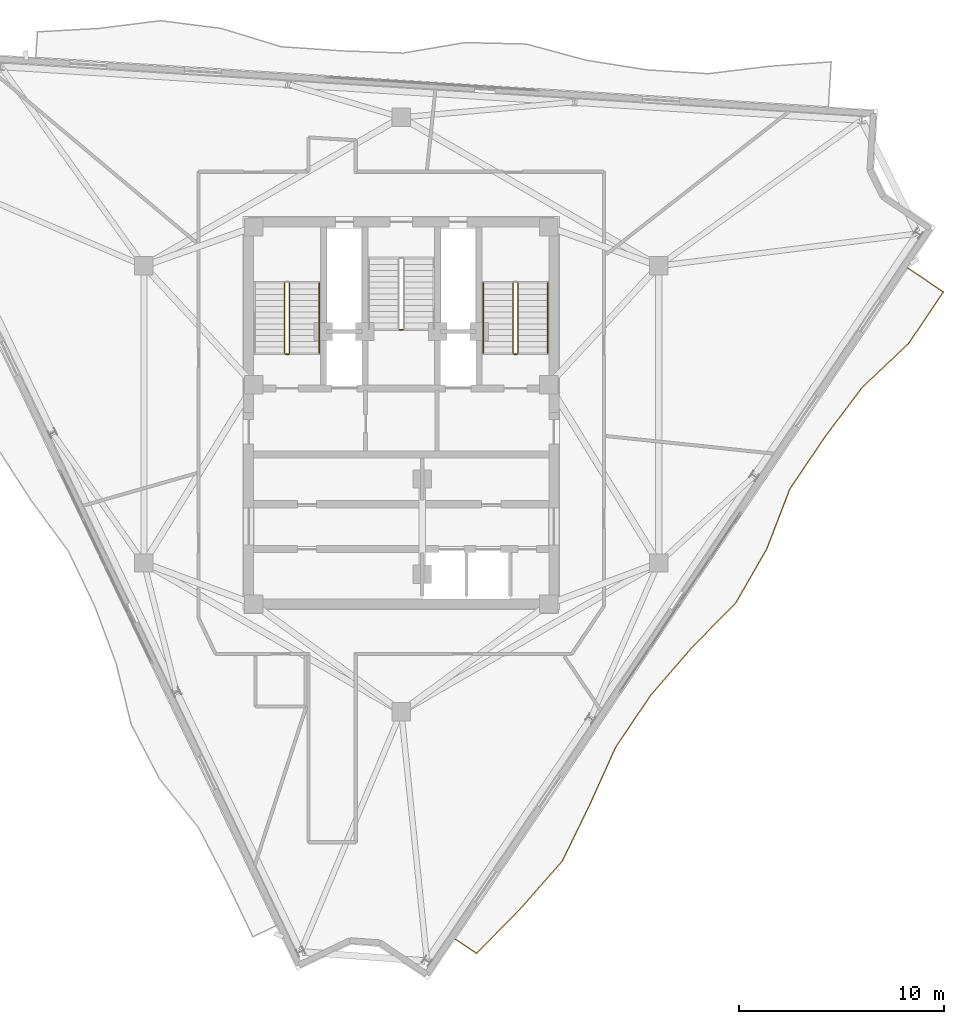
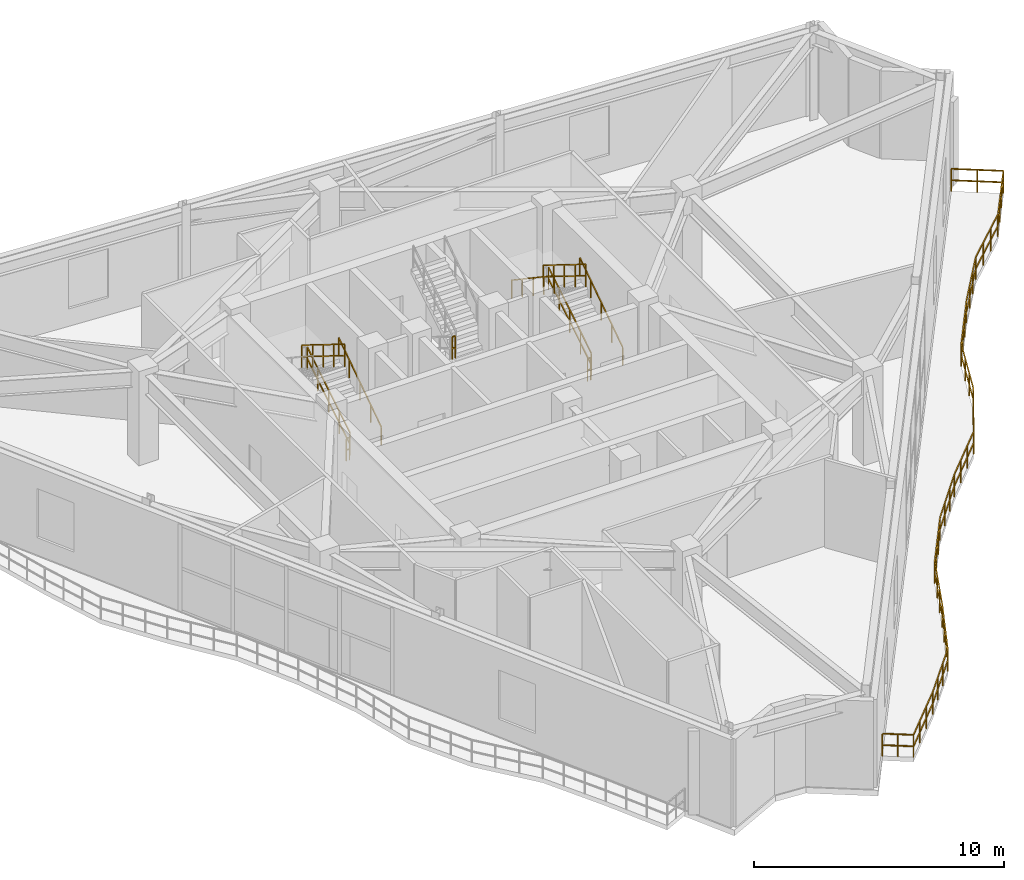
# One storey, part 14 of 15: 11 railings.
"""IFC4 building model written with IfcOpenShell, lengths in metres."""

from ifc_helpers import new_model, si_unit, direction, frame, origin, origin_2d, place, context, subcontext, project, spatial, rectangle, extrude, material, type_object, element, save


model = new_model("IFC4")

# Units and contexts
model_context = context("Model", 3, precision=1e-05, world=origin(), true_north=direction((0.0, 1.0)))
body_context = subcontext(model_context, "Body", "Model", "MODEL_VIEW")
ifc_project = project(units=[si_unit("LENGTHUNIT", "METRE"), si_unit("AREAUNIT", "SQUARE_METRE"), si_unit("VOLUMEUNIT", "CUBIC_METRE"), si_unit("PLANEANGLEUNIT", "RADIAN"), si_unit("MASSUNIT", "GRAM", prefix="KILO")], contexts=[model_context])

# Site, building, storey
site_placement = place(None, origin())
site = spatial("IfcSite", under=ifc_project, at=site_placement, CompositionType="ELEMENT")
building_placement = place(site_placement, origin())
building = spatial("IfcBuilding", under=site, at=building_placement, Name="Apsidion Concourse Tower", CompositionType="ELEMENT")
storey_placement = place(building_placement, frame((0.0, 0.0, 323.39990234375)))
storey = spatial("IfcBuildingStorey", under=building, at=storey_placement, Name="L76", CompositionType="ELEMENT", Elevation=323.39990234375)

# Railings
ifc_material = material(Name="Brushed stainless steel 316", Category="steel")
railing_type_1 = type_object("IfcRailingType", Name="RL-BAL-1120", PredefinedType="BALUSTRADE", material=ifc_material)
railing_1_placement = place(storey_placement, frame((24.735595703125, 7.147216796875, 0.0)))
element("IfcRailing", 1, at=railing_1_placement, inside=storey, type_object=railing_type_1, Name="L76 Face 2 Rippling Balcony Balustrade", PredefinedType="BALUSTRADE", context=body_context, shape_type="SweptSolid", body=[
    extrude(rectangle(XDim=0.048095703125, YDim=0.048095703125, at=origin_2d()), frame((0.0, 0.0, 1.09619140625), z_axis=(0.829034314726, -0.559197733371, 0.0), x_axis=(0.559197733371, 0.829034314726, 0.0)), (0.0, 0.0, 1.0), 2.088134765625),
    extrude(rectangle(XDim=0.048095703125, YDim=0.048095703125, at=origin_2d()), frame((0.0, 0.0, 0.5361328125), z_axis=(0.829034314726, -0.559197733371, 0.0), x_axis=(0.559197733371, 0.829034314726, 0.0)), (0.0, 0.0, 1.0), 2.088134765625),
    extrude(rectangle(XDim=0.048095703125, YDim=0.048095703125, at=origin_2d()), frame((1.731201171875, -1.167724609375, 1.09619140625), z_axis=(-0.559565272435, -0.828786284808, 0.0), x_axis=(0.828786284808, -0.559565272435, 0.0)), (0.0, 0.0, 1.0), 3.039794921875),
    extrude(rectangle(XDim=0.048095703125, YDim=0.048095703125, at=origin_2d()), frame((1.731201171875, -1.167724609375, 0.5361328125), z_axis=(-0.559565272435, -0.828786284808, 0.0), x_axis=(0.828786284808, -0.559565272435, 0.0)), (0.0, 0.0, 1.0), 3.039794921875),
    extrude(rectangle(XDim=0.048095703125, YDim=0.048095703125, at=origin_2d()), frame((0.0302734375, -3.68701171875, 1.09619140625), z_axis=(-0.726660884365, -0.686996331238, 0.0), x_axis=(0.686996331238, -0.726660884365, 0.0)), (0.0, 0.0, 1.0), 3.114501953125),
    extrude(rectangle(XDim=0.048095703125, YDim=0.048095703125, at=origin_2d()), frame((0.0302734375, -3.68701171875, 0.5361328125), z_axis=(-0.726660884365, -0.686996331238, 0.0), x_axis=(0.686996331238, -0.726660884365, 0.0)), (0.0, 0.0, 1.0), 3.114501953125),
    extrude(rectangle(XDim=0.048095703125, YDim=0.048095703125, at=origin_2d()), frame((-2.23291015625, -5.82666015625, 1.09619140625), z_axis=(-0.601256957179, -0.799055737382, 0.0), x_axis=(0.799055737382, -0.601256957179, 0.0)), (0.0, 0.0, 1.0), 3.043701171875),
    extrude(rectangle(XDim=0.048095703125, YDim=0.048095703125, at=origin_2d()), frame((-2.23291015625, -5.82666015625, 0.5361328125), z_axis=(-0.601256957179, -0.799055737382, 0.0), x_axis=(0.799055737382, -0.601256957179, 0.0)), (0.0, 0.0, 1.0), 3.043701171875),
    extrude(rectangle(XDim=0.048095703125, YDim=0.048095703125, at=origin_2d()), frame((-4.06298828125, -8.2587890625, 1.09619140625), z_axis=(-0.559177617013, -0.829047883196, 0.0), x_axis=(0.829047883196, -0.559177617013, 0.0)), (0.0, 0.0, 1.0), 3.03955078125),
    extrude(rectangle(XDim=0.048095703125, YDim=0.048095703125, at=origin_2d()), frame((-4.06298828125, -8.2587890625, 0.5361328125), z_axis=(-0.559177617013, -0.829047883196, 0.0), x_axis=(0.829047883196, -0.559177617013, 0.0)), (0.0, 0.0, 1.0), 3.03955078125),
    extrude(rectangle(XDim=0.048095703125, YDim=0.048095703125, at=origin_2d()), frame((-5.7626953125, -10.77880859375, 1.09619140625), z_axis=(-0.359157426396, -0.933276991608, 0.0), x_axis=(0.933276991608, -0.359157426396, 0.0)), (0.0, 0.0, 1.0), 3.11865234375),
    extrude(rectangle(XDim=0.048095703125, YDim=0.048095703125, at=origin_2d()), frame((-5.7626953125, -10.77880859375, 0.5361328125), z_axis=(-0.359157426396, -0.933276991608, 0.0), x_axis=(0.933276991608, -0.359157426396, 0.0)), (0.0, 0.0, 1.0), 3.11865234375),
    extrude(rectangle(XDim=0.048095703125, YDim=0.048095703125, at=origin_2d()), frame((-6.8828125, -13.689453125, 1.09619140625), z_axis=(-0.4964667014, -0.868055766873, 0.0), x_axis=(0.868055766873, -0.4964667014, 0.0)), (0.0, 0.0, 1.0), 3.0478515625),
    extrude(rectangle(XDim=0.048095703125, YDim=0.048095703125, at=origin_2d()), frame((-6.8828125, -13.689453125, 0.5361328125), z_axis=(-0.4964667014, -0.868055766873, 0.0), x_axis=(0.868055766873, -0.4964667014, 0.0)), (0.0, 0.0, 1.0), 3.0478515625),
    extrude(rectangle(XDim=0.048095703125, YDim=0.048095703125, at=origin_2d()), frame((-8.39599609375, -16.335205078125, 1.09619140625), z_axis=(-0.700959924362, -0.713200662113, 0.0), x_axis=(0.713200662113, -0.700959924362, 0.0)), (0.0, 0.0, 1.0), 3.091552734375),
    extrude(rectangle(XDim=0.048095703125, YDim=0.048095703125, at=origin_2d()), frame((-8.39599609375, -16.335205078125, 0.5361328125), z_axis=(-0.700959924362, -0.713200662113, 0.0), x_axis=(0.713200662113, -0.700959924362, 0.0)), (0.0, 0.0, 1.0), 3.091552734375),
    extrude(rectangle(XDim=0.048095703125, YDim=0.048095703125, at=origin_2d()), frame((-10.56298828125, -18.5400390625, 1.09619140625), z_axis=(-0.652930155065, -0.757418122709, 0.0), x_axis=(0.757418122709, -0.652930155065, 0.0)), (0.0, 0.0, 1.0), 3.060791015625),
    extrude(rectangle(XDim=0.048095703125, YDim=0.048095703125, at=origin_2d()), frame((-10.56298828125, -18.5400390625, 0.5361328125), z_axis=(-0.652930155065, -0.757418122709, 0.0), x_axis=(0.757418122709, -0.652930155065, 0.0)), (0.0, 0.0, 1.0), 3.060791015625),
    extrude(rectangle(XDim=0.048095703125, YDim=0.048095703125, at=origin_2d()), frame((-12.5615234375, -20.8583984375, 1.09619140625), z_axis=(-0.559177617013, -0.829047883196, 0.0), x_axis=(0.829047883196, -0.559177617013, 0.0)), (0.0, 0.0, 1.0), 3.03955078125),
    extrude(rectangle(XDim=0.048095703125, YDim=0.048095703125, at=origin_2d()), frame((-12.5615234375, -20.8583984375, 0.5361328125), z_axis=(-0.559177617013, -0.829047883196, 0.0), x_axis=(0.829047883196, -0.559177617013, 0.0)), (0.0, 0.0, 1.0), 3.03955078125),
    extrude(rectangle(XDim=0.048095703125, YDim=0.048095703125, at=origin_2d()), frame((-14.26123046875, -23.37841796875, 1.09619140625), z_axis=(-0.411230304836, -0.911531478548, 0.0), x_axis=(0.911531478548, -0.411230304836, 0.0)), (0.0, 0.0, 1.0), 3.08349609375),
    extrude(rectangle(XDim=0.048095703125, YDim=0.048095703125, at=origin_2d()), frame((-14.26123046875, -23.37841796875, 0.5361328125), z_axis=(-0.411230304836, -0.911531478548, 0.0), x_axis=(0.911531478548, -0.411230304836, 0.0)), (0.0, 0.0, 1.0), 3.08349609375),
    extrude(rectangle(XDim=0.048095703125, YDim=0.048095703125, at=origin_2d()), frame((-15.529296875, -26.189208984375, 1.09619140625), z_axis=(-0.437804611826, -0.899070142905, 0.0), x_axis=(0.899070142905, -0.437804611826, 0.0)), (0.0, 0.0, 1.0), 3.06982421875),
    extrude(rectangle(XDim=0.048095703125, YDim=0.048095703125, at=origin_2d()), frame((-15.529296875, -26.189208984375, 0.5361328125), z_axis=(-0.437804611826, -0.899070142905, 0.0), x_axis=(0.899070142905, -0.437804611826, 0.0)), (0.0, 0.0, 1.0), 3.06982421875),
    extrude(rectangle(XDim=0.048095703125, YDim=0.048095703125, at=origin_2d()), frame((-16.873291015625, -28.94921875, 1.09619140625), z_axis=(-0.660577609267, -0.750757765284, 0.0), x_axis=(0.750757765284, -0.660577609267, 0.0)), (0.0, 0.0, 1.0), 3.064697265625),
    extrude(rectangle(XDim=0.048095703125, YDim=0.048095703125, at=origin_2d()), frame((-16.873291015625, -28.94921875, 0.5361328125), z_axis=(-0.660577609267, -0.750757765284, 0.0), x_axis=(0.750757765284, -0.660577609267, 0.0)), (0.0, 0.0, 1.0), 3.064697265625),
    extrude(rectangle(XDim=0.048095703125, YDim=0.048095703125, at=origin_2d()), frame((-18.897705078125, -31.25, 1.09619140625), z_axis=(-0.699681924924, -0.71445447996, 0.0), x_axis=(0.71445447996, -0.699681924924, 0.0)), (0.0, 0.0, 1.0), 3.090576171875),
    extrude(rectangle(XDim=0.048095703125, YDim=0.048095703125, at=origin_2d()), frame((-18.897705078125, -31.25, 0.5361328125), z_axis=(-0.699681924924, -0.71445447996, 0.0), x_axis=(0.71445447996, -0.699681924924, 0.0)), (0.0, 0.0, 1.0), 3.090576171875),
    extrude(rectangle(XDim=0.048095703125, YDim=0.048095703125, at=origin_2d()), frame((-21.06005859375, -33.4580078125, 1.09619140625), z_axis=(-0.829002629562, 0.559244705098, 0.0), x_axis=(-0.559244705098, -0.829002629562, 0.0)), (0.0, 0.0, 1.0), 1.249755859375),
    extrude(rectangle(XDim=0.048095703125, YDim=0.048095703125, at=origin_2d()), frame((-21.06005859375, -33.4580078125, 0.5361328125), z_axis=(-0.829002629562, 0.559244705098, 0.0), x_axis=(-0.559244705098, -0.829002629562, 0.0)), (0.0, 0.0, 1.0), 1.249755859375),
    extrude(rectangle(XDim=0.0419921875, YDim=0.0419921875, at=origin_2d()), origin(), (0.0, 0.0, 1.0), 1.072021484375),
    extrude(rectangle(XDim=0.0419921875, YDim=0.0419921875, at=origin_2d()), frame((0.86572265625, -0.583984375, 0.0)), (0.0, 0.0, 1.0), 1.072021484375),
    extrude(rectangle(XDim=0.0419921875, YDim=0.0419921875, at=origin_2d()), frame((1.731201171875, -1.167724609375, 0.0)), (0.0, 0.0, 1.0), 1.072021484375),
    extrude(rectangle(XDim=0.0419921875, YDim=0.0419921875, at=origin_2d()), frame((1.164306640625, -2.007568359375, 0.0)), (0.0, 0.0, 1.0), 1.072021484375),
    extrude(rectangle(XDim=0.0419921875, YDim=0.0419921875, at=origin_2d()), frame((0.59716796875, -2.84716796875, 0.0)), (0.0, 0.0, 1.0), 1.072021484375),
    extrude(rectangle(XDim=0.0419921875, YDim=0.0419921875, at=origin_2d()), frame((0.0302734375, -3.68701171875, 0.0)), (0.0, 0.0, 1.0), 1.072021484375),
    extrude(rectangle(XDim=0.0419921875, YDim=0.0419921875, at=origin_2d()), frame((-0.72412109375, -4.400146484375, 0.0)), (0.0, 0.0, 1.0), 1.072021484375),
    extrude(rectangle(XDim=0.0419921875, YDim=0.0419921875, at=origin_2d()), frame((-1.478515625, -5.113525390625, 0.0)), (0.0, 0.0, 1.0), 1.072021484375),
    extrude(rectangle(XDim=0.0419921875, YDim=0.0419921875, at=origin_2d()), frame((-2.23291015625, -5.82666015625, 0.0)), (0.0, 0.0, 1.0), 1.072021484375),
    extrude(rectangle(XDim=0.0419921875, YDim=0.0419921875, at=origin_2d()), frame((-2.843017578125, -6.637451171875, 0.0)), (0.0, 0.0, 1.0), 1.072021484375),
    extrude(rectangle(XDim=0.0419921875, YDim=0.0419921875, at=origin_2d()), frame((-3.452880859375, -7.447998046875, 0.0)), (0.0, 0.0, 1.0), 1.072021484375),
    extrude(rectangle(XDim=0.0419921875, YDim=0.0419921875, at=origin_2d()), frame((-4.06298828125, -8.2587890625, 0.0)), (0.0, 0.0, 1.0), 1.072021484375),
    extrude(rectangle(XDim=0.0419921875, YDim=0.0419921875, at=origin_2d()), frame((-4.629638671875, -9.098876953125, 0.0)), (0.0, 0.0, 1.0), 1.072021484375),
    extrude(rectangle(XDim=0.0419921875, YDim=0.0419921875, at=origin_2d()), frame((-5.196044921875, -9.938720703125, 0.0)), (0.0, 0.0, 1.0), 1.072021484375),
    extrude(rectangle(XDim=0.0419921875, YDim=0.0419921875, at=origin_2d()), frame((-5.7626953125, -10.77880859375, 0.0)), (0.0, 0.0, 1.0), 1.072021484375),
    extrude(rectangle(XDim=0.0419921875, YDim=0.0419921875, at=origin_2d()), frame((-6.135986328125, -11.7490234375, 0.0)), (0.0, 0.0, 1.0), 1.072021484375),
    extrude(rectangle(XDim=0.0419921875, YDim=0.0419921875, at=origin_2d()), frame((-6.509521484375, -12.71923828125, 0.0)), (0.0, 0.0, 1.0), 1.072021484375),
    extrude(rectangle(XDim=0.0419921875, YDim=0.0419921875, at=origin_2d()), frame((-6.8828125, -13.689453125, 0.0)), (0.0, 0.0, 1.0), 1.072021484375),
    extrude(rectangle(XDim=0.0419921875, YDim=0.0419921875, at=origin_2d()), frame((-7.38720703125, -14.5712890625, 0.0)), (0.0, 0.0, 1.0), 1.072021484375),
    extrude(rectangle(XDim=0.0419921875, YDim=0.0419921875, at=origin_2d()), frame((-7.8916015625, -15.453369140625, 0.0)), (0.0, 0.0, 1.0), 1.072021484375),
    extrude(rectangle(XDim=0.0419921875, YDim=0.0419921875, at=origin_2d()), frame((-8.39599609375, -16.335205078125, 0.0)), (0.0, 0.0, 1.0), 1.072021484375),
    extrude(rectangle(XDim=0.0419921875, YDim=0.0419921875, at=origin_2d()), frame((-9.118408203125, -17.070068359375, 0.0)), (0.0, 0.0, 1.0), 1.072021484375),
    extrude(rectangle(XDim=0.0419921875, YDim=0.0419921875, at=origin_2d()), frame((-9.840576171875, -17.80517578125, 0.0)), (0.0, 0.0, 1.0), 1.072021484375),
    extrude(rectangle(XDim=0.0419921875, YDim=0.0419921875, at=origin_2d()), frame((-10.56298828125, -18.5400390625, 0.0)), (0.0, 0.0, 1.0), 1.072021484375),
    extrude(rectangle(XDim=0.0419921875, YDim=0.0419921875, at=origin_2d()), frame((-11.229248046875, -19.312744140625, 0.0)), (0.0, 0.0, 1.0), 1.072021484375),
    extrude(rectangle(XDim=0.0419921875, YDim=0.0419921875, at=origin_2d()), frame((-11.895263671875, -20.085693359375, 0.0)), (0.0, 0.0, 1.0), 1.072021484375),
    extrude(rectangle(XDim=0.0419921875, YDim=0.0419921875, at=origin_2d()), frame((-12.5615234375, -20.8583984375, 0.0)), (0.0, 0.0, 1.0), 1.072021484375),
    extrude(rectangle(XDim=0.0419921875, YDim=0.0419921875, at=origin_2d()), frame((-13.128173828125, -21.698486328125, 0.0)), (0.0, 0.0, 1.0), 1.072021484375),
    extrude(rectangle(XDim=0.0419921875, YDim=0.0419921875, at=origin_2d()), frame((-13.694580078125, -22.538330078125, 0.0)), (0.0, 0.0, 1.0), 1.072021484375),
    extrude(rectangle(XDim=0.0419921875, YDim=0.0419921875, at=origin_2d()), frame((-14.26123046875, -23.37841796875, 0.0)), (0.0, 0.0, 1.0), 1.072021484375),
    extrude(rectangle(XDim=0.0419921875, YDim=0.0419921875, at=origin_2d()), frame((-14.683837890625, -24.3154296875, 0.0)), (0.0, 0.0, 1.0), 1.072021484375),
    extrude(rectangle(XDim=0.0419921875, YDim=0.0419921875, at=origin_2d()), frame((-15.106689453125, -25.252197265625, 0.0)), (0.0, 0.0, 1.0), 1.072021484375),
    extrude(rectangle(XDim=0.0419921875, YDim=0.0419921875, at=origin_2d()), frame((-15.529296875, -26.189208984375, 0.0)), (0.0, 0.0, 1.0), 1.072021484375),
    extrude(rectangle(XDim=0.0419921875, YDim=0.0419921875, at=origin_2d()), frame((-15.977294921875, -27.109130859375, 0.0)), (0.0, 0.0, 1.0), 1.072021484375),
    extrude(rectangle(XDim=0.0419921875, YDim=0.0419921875, at=origin_2d()), frame((-16.42529296875, -28.029296875, 0.0)), (0.0, 0.0, 1.0), 1.072021484375),
    extrude(rectangle(XDim=0.0419921875, YDim=0.0419921875, at=origin_2d()), frame((-16.873291015625, -28.94921875, 0.0)), (0.0, 0.0, 1.0), 1.072021484375),
    extrude(rectangle(XDim=0.0419921875, YDim=0.0419921875, at=origin_2d()), frame((-17.548095703125, -29.716064453125, 0.0)), (0.0, 0.0, 1.0), 1.072021484375),
    extrude(rectangle(XDim=0.0419921875, YDim=0.0419921875, at=origin_2d()), frame((-18.222900390625, -30.483154296875, 0.0)), (0.0, 0.0, 1.0), 1.072021484375),
    extrude(rectangle(XDim=0.0419921875, YDim=0.0419921875, at=origin_2d()), frame((-18.897705078125, -31.25, 0.0)), (0.0, 0.0, 1.0), 1.072021484375),
    extrude(rectangle(XDim=0.0419921875, YDim=0.0419921875, at=origin_2d()), frame((-19.618408203125, -31.986083984375, 0.0)), (0.0, 0.0, 1.0), 1.072021484375),
    extrude(rectangle(XDim=0.0419921875, YDim=0.0419921875, at=origin_2d()), frame((-20.33935546875, -32.721923828125, 0.0)), (0.0, 0.0, 1.0), 1.072021484375),
    extrude(rectangle(XDim=0.0419921875, YDim=0.0419921875, at=origin_2d()), frame((-21.06005859375, -33.4580078125, 0.0)), (0.0, 0.0, 1.0), 1.072021484375),
    extrude(rectangle(XDim=0.0419921875, YDim=0.0419921875, at=origin_2d()), frame((-21.578125, -33.1083984375, 0.0)), (0.0, 0.0, 1.0), 1.072021484375),
    extrude(rectangle(XDim=0.0419921875, YDim=0.0419921875, at=origin_2d()), frame((-22.09619140625, -32.759033203125, 0.0)), (0.0, 0.0, 1.0), 1.072021484375),
])
railing_type_2 = type_object("IfcRailingType", Name="RL-GUARD-1100", PredefinedType="GUARDRAIL", material=ifc_material)
railing_2_placement = place(storey_placement, frame((-5.449951171875, 3.0, 0.177001953125)))
element("IfcRailing", 2, at=railing_2_placement, inside=storey, type_object=railing_type_2, Name="L76 ST1 stair guard 1", PredefinedType="GUARDRAIL", context=body_context, shape_type="SweptSolid", body=[
    extrude(rectangle(XDim=0.048095703125, YDim=0.048095703125, at=origin_2d()), frame((0.0, 0.0, 1.09619140625), z_axis=(0.0, 0.849602680019, 0.527423251388), x_axis=(-1.0, 0.0, 0.0)), (0.0, 0.0, 1.0), 4.025390625),
    extrude(rectangle(XDim=0.048095703125, YDim=0.048095703125, at=origin_2d()), frame((0.0, 0.0, 0.5361328125), z_axis=(0.0, 0.849602680019, 0.527423251388), x_axis=(-1.0, 0.0, 0.0)), (0.0, 0.0, 1.0), 4.025390625),
    extrude(rectangle(XDim=0.0419921875, YDim=0.0419921875, at=origin_2d()), origin(), (0.0, 0.0, 1.0), 1.072021484375),
    extrude(rectangle(XDim=0.0419921875, YDim=0.0419921875, at=origin_2d()), frame((0.0, 0.85498046875, 0.53076171875)), (0.0, 0.0, 1.0), 1.072021484375),
    extrude(rectangle(XDim=0.0419921875, YDim=0.0419921875, at=origin_2d()), frame((0.0, 1.7099609375, 1.0615234375)), (0.0, 0.0, 1.0), 1.072021484375),
    extrude(rectangle(XDim=0.0419921875, YDim=0.0419921875, at=origin_2d()), frame((0.0, 2.56494140625, 1.59228515625)), (0.0, 0.0, 1.0), 1.072021484375),
    extrude(rectangle(XDim=0.0419921875, YDim=0.0419921875, at=origin_2d()), frame((0.0, 3.419921875, 2.123046875)), (0.0, 0.0, 1.0), 1.072021484375),
])
railing_3_placement = place(storey_placement, frame((-5.699951171875, 6.419921875, 2.47705078125)))
element("IfcRailing", 3, at=railing_3_placement, inside=storey, type_object=railing_type_2, Name="L76 ST1 stair guard 3", PredefinedType="GUARDRAIL", context=body_context, shape_type="SweptSolid", body=[
    extrude(rectangle(XDim=0.048095703125, YDim=0.048095703125, at=origin_2d()), frame((0.0, 0.0, 1.09619140625), z_axis=(0.0, -0.849602680019, 0.527423251388), x_axis=(1.0, 0.0, 0.0)), (0.0, 0.0, 1.0), 4.025390625),
    extrude(rectangle(XDim=0.048095703125, YDim=0.048095703125, at=origin_2d()), frame((0.0, 0.0, 0.5361328125), z_axis=(0.0, -0.849602680019, 0.527423251388), x_axis=(1.0, 0.0, 0.0)), (0.0, 0.0, 1.0), 4.025390625),
    extrude(rectangle(XDim=0.0419921875, YDim=0.0419921875, at=origin_2d()), origin(), (0.0, 0.0, 1.0), 1.072021484375),
    extrude(rectangle(XDim=0.0419921875, YDim=0.0419921875, at=origin_2d()), frame((0.0, -0.85498046875, 0.53076171875)), (0.0, 0.0, 1.0), 1.072021484375),
    extrude(rectangle(XDim=0.0419921875, YDim=0.0419921875, at=origin_2d()), frame((0.0, -1.7099609375, 1.0615234375)), (0.0, 0.0, 1.0), 1.072021484375),
    extrude(rectangle(XDim=0.0419921875, YDim=0.0419921875, at=origin_2d()), frame((0.0, -2.56494140625, 1.59228515625)), (0.0, 0.0, 1.0), 1.072021484375),
    extrude(rectangle(XDim=0.0419921875, YDim=0.0419921875, at=origin_2d()), frame((0.0, -3.419921875, 2.123046875)), (0.0, 0.0, 1.0), 1.072021484375),
])
railing_4_placement = place(storey_placement, frame((-5.5, 2.949951171875, 0.0)))
element("IfcRailing", 4, at=railing_4_placement, inside=storey, type_object=railing_type_2, Name="L76 ST1 stair guard 4", PredefinedType="GUARDRAIL", context=body_context, shape_type="SweptSolid", body=[
    extrude(rectangle(XDim=0.048095703125, YDim=0.048095703125, at=origin_2d()), frame((0.0, 0.0, 1.09619140625), z_axis=(-1.0, 0.0, 0.0), x_axis=(0.0, -1.0, 0.0)), (0.0, 0.0, 1.0), 0.14990234375),
    extrude(rectangle(XDim=0.048095703125, YDim=0.048095703125, at=origin_2d()), frame((0.0, 0.0, 0.5361328125), z_axis=(-1.0, 0.0, 0.0), x_axis=(0.0, -1.0, 0.0)), (0.0, 0.0, 1.0), 0.14990234375),
    extrude(rectangle(XDim=0.0419921875, YDim=0.0419921875, at=origin_2d()), origin(), (0.0, 0.0, 1.0), 1.072021484375),
    extrude(rectangle(XDim=0.0419921875, YDim=0.0419921875, at=origin_2d()), frame((-0.14990234375, 0.0, 0.0)), (0.0, 0.0, 1.0), 1.072021484375),
])
railing_5_placement = place(storey_placement, frame((5.699951171875, 3.0, 0.177001953125)))
element("IfcRailing", 5, at=railing_5_placement, inside=storey, type_object=railing_type_2, Name="L76 ST2 stair guard 1", PredefinedType="GUARDRAIL", context=body_context, shape_type="SweptSolid", body=[
    extrude(rectangle(XDim=0.048095703125, YDim=0.048095703125, at=origin_2d()), frame((0.0, 0.0, 1.09619140625), z_axis=(0.0, 0.849602680019, 0.527423251388), x_axis=(-1.0, 0.0, 0.0)), (0.0, 0.0, 1.0), 4.025390625),
    extrude(rectangle(XDim=0.048095703125, YDim=0.048095703125, at=origin_2d()), frame((0.0, 0.0, 0.5361328125), z_axis=(0.0, 0.849602680019, 0.527423251388), x_axis=(-1.0, 0.0, 0.0)), (0.0, 0.0, 1.0), 4.025390625),
    extrude(rectangle(XDim=0.0419921875, YDim=0.0419921875, at=origin_2d()), origin(), (0.0, 0.0, 1.0), 1.072021484375),
    extrude(rectangle(XDim=0.0419921875, YDim=0.0419921875, at=origin_2d()), frame((0.0, 0.85498046875, 0.53076171875)), (0.0, 0.0, 1.0), 1.072021484375),
    extrude(rectangle(XDim=0.0419921875, YDim=0.0419921875, at=origin_2d()), frame((0.0, 1.7099609375, 1.0615234375)), (0.0, 0.0, 1.0), 1.072021484375),
    extrude(rectangle(XDim=0.0419921875, YDim=0.0419921875, at=origin_2d()), frame((0.0, 2.56494140625, 1.59228515625)), (0.0, 0.0, 1.0), 1.072021484375),
    extrude(rectangle(XDim=0.0419921875, YDim=0.0419921875, at=origin_2d()), frame((0.0, 3.419921875, 2.123046875)), (0.0, 0.0, 1.0), 1.072021484375),
])
railing_6_placement = place(storey_placement, frame((5.449951171875, 6.419921875, 2.47705078125)))
element("IfcRailing", 6, at=railing_6_placement, inside=storey, type_object=railing_type_2, Name="L76 ST2 stair guard 3", PredefinedType="GUARDRAIL", context=body_context, shape_type="SweptSolid", body=[
    extrude(rectangle(XDim=0.048095703125, YDim=0.048095703125, at=origin_2d()), frame((0.0, 0.0, 1.09619140625), z_axis=(0.0, -0.849602680019, 0.527423251388), x_axis=(1.0, 0.0, 0.0)), (0.0, 0.0, 1.0), 4.025390625),
    extrude(rectangle(XDim=0.048095703125, YDim=0.048095703125, at=origin_2d()), frame((0.0, 0.0, 0.5361328125), z_axis=(0.0, -0.849602680019, 0.527423251388), x_axis=(1.0, 0.0, 0.0)), (0.0, 0.0, 1.0), 4.025390625),
    extrude(rectangle(XDim=0.0419921875, YDim=0.0419921875, at=origin_2d()), origin(), (0.0, 0.0, 1.0), 1.072021484375),
    extrude(rectangle(XDim=0.0419921875, YDim=0.0419921875, at=origin_2d()), frame((0.0, -0.85498046875, 0.53076171875)), (0.0, 0.0, 1.0), 1.072021484375),
    extrude(rectangle(XDim=0.0419921875, YDim=0.0419921875, at=origin_2d()), frame((0.0, -1.7099609375, 1.0615234375)), (0.0, 0.0, 1.0), 1.072021484375),
    extrude(rectangle(XDim=0.0419921875, YDim=0.0419921875, at=origin_2d()), frame((0.0, -2.56494140625, 1.59228515625)), (0.0, 0.0, 1.0), 1.072021484375),
    extrude(rectangle(XDim=0.0419921875, YDim=0.0419921875, at=origin_2d()), frame((0.0, -3.419921875, 2.123046875)), (0.0, 0.0, 1.0), 1.072021484375),
])
railing_7_placement = place(storey_placement, frame((5.64990234375, 2.949951171875, 0.0)))
element("IfcRailing", 7, at=railing_7_placement, inside=storey, type_object=railing_type_2, Name="L76 ST2 stair guard 4", PredefinedType="GUARDRAIL", context=body_context, shape_type="SweptSolid", body=[
    extrude(rectangle(XDim=0.048095703125, YDim=0.048095703125, at=origin_2d()), frame((0.0, 0.0, 1.09619140625), z_axis=(-1.0, 0.0, 0.0), x_axis=(0.0, -1.0, 0.0)), (0.0, 0.0, 1.0), 0.14990234375),
    extrude(rectangle(XDim=0.048095703125, YDim=0.048095703125, at=origin_2d()), frame((0.0, 0.0, 0.5361328125), z_axis=(-1.0, 0.0, 0.0), x_axis=(0.0, -1.0, 0.0)), (0.0, 0.0, 1.0), 0.14990234375),
    extrude(rectangle(XDim=0.0419921875, YDim=0.0419921875, at=origin_2d()), origin(), (0.0, 0.0, 1.0), 1.072021484375),
    extrude(rectangle(XDim=0.0419921875, YDim=0.0419921875, at=origin_2d()), frame((-0.14990234375, 0.0, 0.0)), (0.0, 0.0, 1.0), 1.072021484375),
])
railing_8_placement = place(storey_placement, frame((-0.074951171875, 4.1298828125, 2.300048828125)))
element("IfcRailing", 8, at=railing_8_placement, inside=storey, type_object=railing_type_2, Name="L76 ST3 stair guard 2", PredefinedType="GUARDRAIL", context=body_context, shape_type="SweptSolid", body=[
    extrude(rectangle(XDim=0.048095703125, YDim=0.048095703125, at=origin_2d()), frame((0.0, 0.0, 1.09619140625), z_axis=(1.0, 0.0, 0.0), x_axis=(0.0, 1.0, 0.0)), (0.0, 0.0, 1.0), 0.14990234375),
    extrude(rectangle(XDim=0.048095703125, YDim=0.048095703125, at=origin_2d()), frame((0.0, 0.0, 0.5361328125), z_axis=(1.0, 0.0, 0.0), x_axis=(0.0, 1.0, 0.0)), (0.0, 0.0, 1.0), 0.14990234375),
    extrude(rectangle(XDim=0.0419921875, YDim=0.0419921875, at=origin_2d()), origin(), (0.0, 0.0, 1.0), 1.072021484375),
    extrude(rectangle(XDim=0.0419921875, YDim=0.0419921875, at=origin_2d()), frame((0.14990234375, 0.0, 0.0)), (0.0, 0.0, 1.0), 1.072021484375),
])
railing_type_3 = type_object("IfcRailingType", Name="RL-HAND-900", PredefinedType="HANDRAIL", material=ifc_material)
for number, where, name in (
    (9, (-4.0, 3.0, 0.177001953125), "L76 ST1 stair handrail 1"),
    (10, (7.14990234375, 3.0, 0.177001953125), "L76 ST2 stair handrail 1"),
):
    element("IfcRailing", number, at=place(storey_placement, frame(where)), inside=storey, type_object=railing_type_3, Name=name, PredefinedType="HANDRAIL", context=body_context, shape_type="SweptSolid", body=[
        extrude(rectangle(XDim=0.048095703125, YDim=0.048095703125, at=origin_2d()), frame((0.0, 0.0, 0.8759765625), z_axis=(0.0, 0.8297924358, 0.55807214004), x_axis=(-1.0, 0.0, 0.0)), (0.0, 0.0, 1.0), 4.121337890625),
        extrude(rectangle(XDim=0.0419921875, YDim=0.0419921875, at=origin_2d()), origin(), (0.0, 0.0, 1.0), 0.851806640625),
        extrude(rectangle(XDim=0.0419921875, YDim=0.0419921875, at=origin_2d()), frame((0.0, 0.85498046875, 0.574951171875)), (0.0, 0.0, 1.0), 0.851806640625),
        extrude(rectangle(XDim=0.0419921875, YDim=0.0419921875, at=origin_2d()), frame((0.0, 1.7099609375, 1.14990234375)), (0.0, 0.0, 1.0), 0.851806640625),
        extrude(rectangle(XDim=0.0419921875, YDim=0.0419921875, at=origin_2d()), frame((0.0, 2.56494140625, 1.72509765625)), (0.0, 0.0, 1.0), 0.851806640625),
        extrude(rectangle(XDim=0.0419921875, YDim=0.0419921875, at=origin_2d()), frame((0.0, 3.419921875, 2.300048828125)), (0.0, 0.0, 1.0), 0.851806640625),
    ])
railing_9_placement = place(storey_placement, frame((4.0, 6.419921875, 2.47705078125)))
element("IfcRailing", 11, at=railing_9_placement, inside=storey, type_object=railing_type_3, Name="L76 ST2 stair handrail 2", PredefinedType="HANDRAIL", context=body_context, shape_type="SweptSolid", body=[
    extrude(rectangle(XDim=0.048095703125, YDim=0.048095703125, at=origin_2d()), frame((0.0, 0.0, 0.8759765625), z_axis=(0.0, -0.8297924358, 0.55807214004), x_axis=(1.0, 0.0, 0.0)), (0.0, 0.0, 1.0), 4.121337890625),
    extrude(rectangle(XDim=0.0419921875, YDim=0.0419921875, at=origin_2d()), origin(), (0.0, 0.0, 1.0), 0.851806640625),
    extrude(rectangle(XDim=0.0419921875, YDim=0.0419921875, at=origin_2d()), frame((0.0, -0.85498046875, 0.574951171875)), (0.0, 0.0, 1.0), 0.851806640625),
    extrude(rectangle(XDim=0.0419921875, YDim=0.0419921875, at=origin_2d()), frame((0.0, -1.7099609375, 1.14990234375)), (0.0, 0.0, 1.0), 0.851806640625),
    extrude(rectangle(XDim=0.0419921875, YDim=0.0419921875, at=origin_2d()), frame((0.0, -2.56494140625, 1.72509765625)), (0.0, 0.0, 1.0), 0.851806640625),
    extrude(rectangle(XDim=0.0419921875, YDim=0.0419921875, at=origin_2d()), frame((0.0, -3.419921875, 2.300048828125)), (0.0, 0.0, 1.0), 0.851806640625),
])

save(model, "model.ifc")
